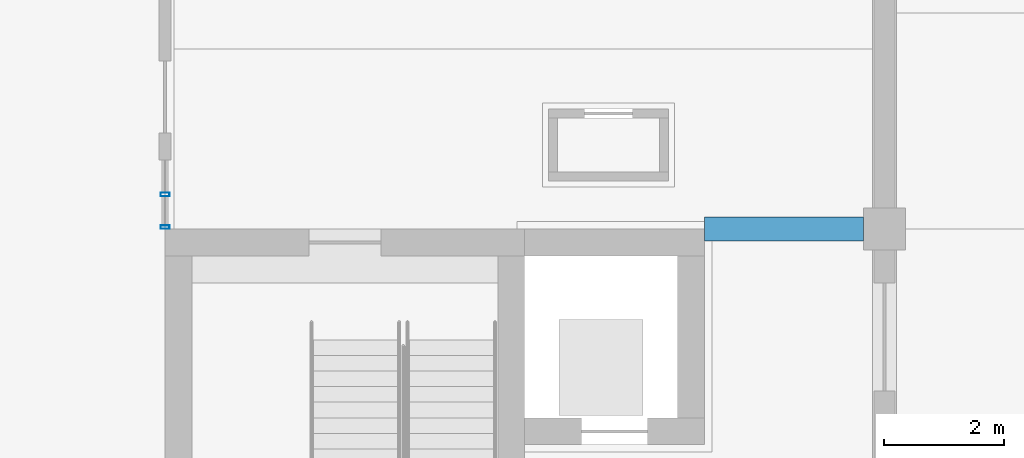
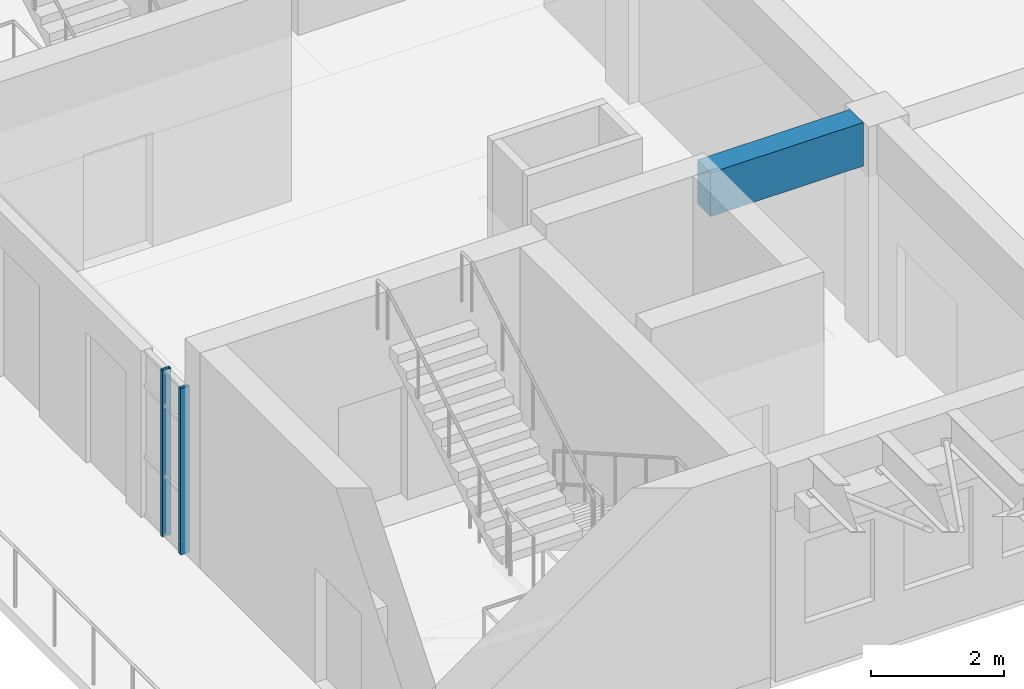
# One storey, part 21 of 103: 2 members, 1 beam, 1 element without a shape of its own.
"""IFC4 building model written with IfcOpenShell, lengths in metres."""

from ifc_helpers import new_model, si_unit, direction, frame, origin, origin_2d, place, context, subcontext, project, spatial, rectangle, hollow_rectangle, extrude, material, material_profile, profile_set, type_object, element, aggregate, save


model = new_model("IFC4")

# Units and contexts
model_context = context("Model", 3, precision=1e-05, world=origin(), true_north=direction((0.0, 1.0)))
body_context = subcontext(model_context, "Body", "Model", "MODEL_VIEW")
ifc_project = project(units=[si_unit("LENGTHUNIT", "METRE"), si_unit("AREAUNIT", "SQUARE_METRE"), si_unit("VOLUMEUNIT", "CUBIC_METRE"), si_unit("PLANEANGLEUNIT", "RADIAN"), si_unit("MASSUNIT", "GRAM", prefix="KILO")], contexts=[model_context])

# Site, building, storey
site_placement = place(None, origin())
site = spatial("IfcSite", under=ifc_project, at=site_placement, CompositionType="ELEMENT")
building_placement = place(site_placement, origin())
building = spatial("IfcBuilding", under=site, at=building_placement, Name="Laocheng Heights Fire and Rescue Headquarters", CompositionType="ELEMENT")
storey_placement = place(building_placement, frame((0.0, 0.0, 4.199951171875)))
storey = spatial("IfcBuildingStorey", under=building, at=storey_placement, Name="L01", CompositionType="ELEMENT", Elevation=4.199951171875)

# Curtain wall, members
ifc_material_1 = material(Name="Dark anodised aluminium unitised curtain wall, low-e double glazing", Category="aluminium")
curtain_wall_type = type_object("IfcCurtainWallType", Name="CW 1150 x 3050 FOYER GLAZING", PredefinedType="NOTDEFINED", material=ifc_material_1)
curtain_wall_placement = place(storey_placement, origin())
curtain_wall = element("IfcCurtainWall", 1, at=curtain_wall_placement, inside=storey, type_object=curtain_wall_type, Name="X1-V FOYER WEST L01", PredefinedType="NOTDEFINED")
ifc_material_2 = material(Name="Dark anodised aluminium 6063-T5 extrusion", Category="aluminium")
ifc_material_profile_1 = material_profile(ifc_material_2, hollow_rectangle(XDim=0.14990234375, YDim=0.06005859375, WallThickness=0.0029296875, at=origin_2d()), Name="AL MULLION 150x60x3 FOYER GLAZING")
ifc_profile_set_1 = profile_set([ifc_material_profile_1], Name="Dark anodised aluminium 6063-T5 extrusion")
member_type = type_object("IfcMemberType", Name="AL MULLION 150x60x3 FOYER GLAZING", PredefinedType="MULLION", material=ifc_profile_set_1)
member_1_placement = place(storey_placement, frame((0.0, 43.22998046875, 0.0), z_axis=(0.0, 0.0, 1.0), x_axis=(-1.0, 0.0, 0.0)))
member_1 = element("IfcMember", 2, at=member_1_placement, type_object=member_type, Name="X1-V mullion 1", PredefinedType="MULLION", context=body_context, shape_type="SweptSolid", body=[
    extrude(hollow_rectangle(XDim=0.14990234375, YDim=0.06005859375, WallThickness=0.0029296875, at=origin_2d()), origin(), (0.0, 0.0, 1.0), 3.050048828125),
])
member_2_placement = place(storey_placement, frame((0.0, 43.77490234375, 0.0), z_axis=(0.0, 0.0, 1.0), x_axis=(-1.0, 0.0, 0.0)))
member_2 = element("IfcMember", 3, at=member_2_placement, type_object=member_type, Name="X1-V mullion 2", PredefinedType="MULLION", context=body_context, shape_type="SweptSolid", body=[
    extrude(hollow_rectangle(XDim=0.14990234375, YDim=0.06005859375, WallThickness=0.0029296875, at=origin_2d()), origin(), (0.0, 0.0, 1.0), 3.050048828125),
])
aggregate(curtain_wall, [member_1, member_2])

# Beam
ifc_material_3 = material(Name="Concrete C40", Category="concrete")
ifc_material_profile_2 = material_profile(ifc_material_3, rectangle(XDim=0.39990234375, YDim=0.800048828125, at=origin_2d()), Name="RC BEAM 400x800 FOYER")
ifc_profile_set_2 = profile_set([ifc_material_profile_2], Name="Concrete C40")
beam_type = type_object("IfcBeamType", Name="RC BEAM 400x800 FOYER", PredefinedType="BEAM", material=ifc_profile_set_2)
beam_placement = place(storey_placement, frame((9.0, 43.199951171875, 3.550048828125), z_axis=(1.0, 0.0, 0.0), x_axis=(0.0, 1.0, 0.0)))
element("IfcBeam", 4, at=beam_placement, inside=storey, type_object=beam_type, Name="Foyer beam L01", PredefinedType="BEAM", context=body_context, shape_type="SweptSolid", body=[
    extrude(rectangle(XDim=0.39990234375, YDim=0.800048828125, at=origin_2d()), origin(), (0.0, 0.0, 1.0), 2.64990234375),
])

save(model, "model.ifc")
